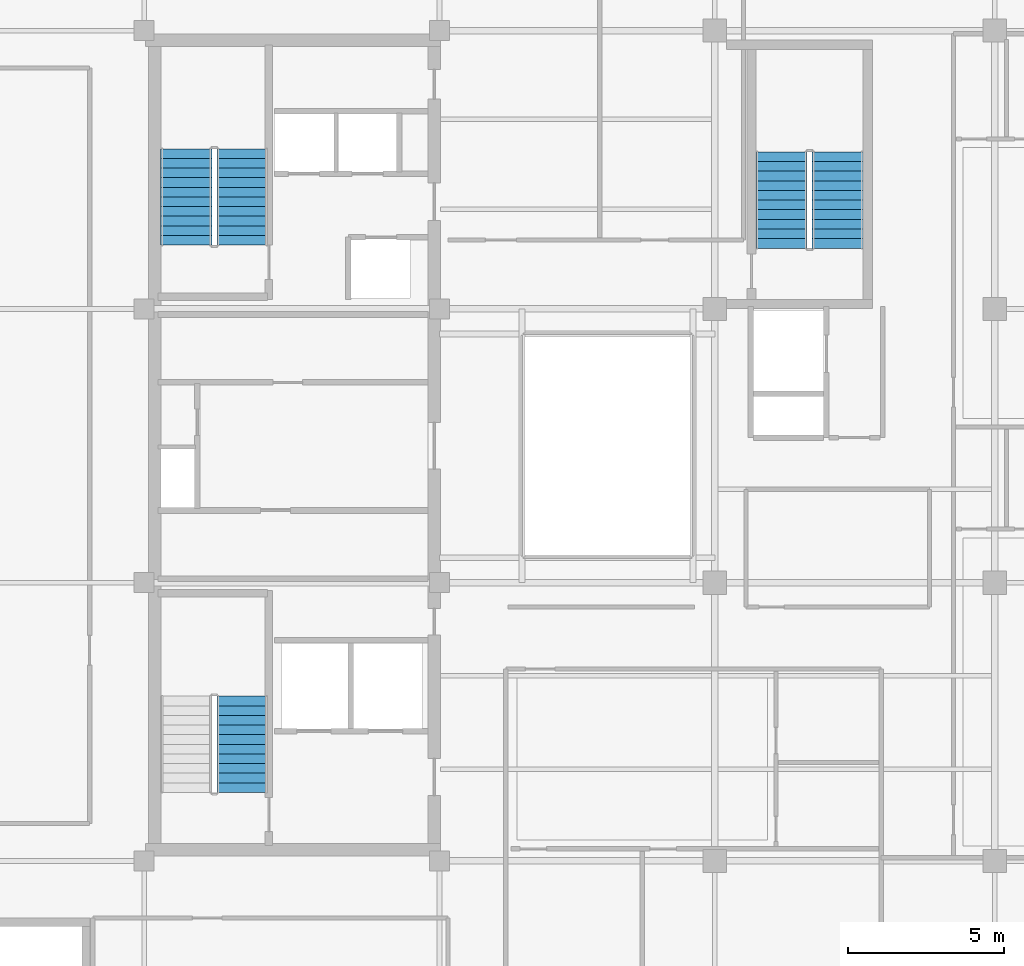
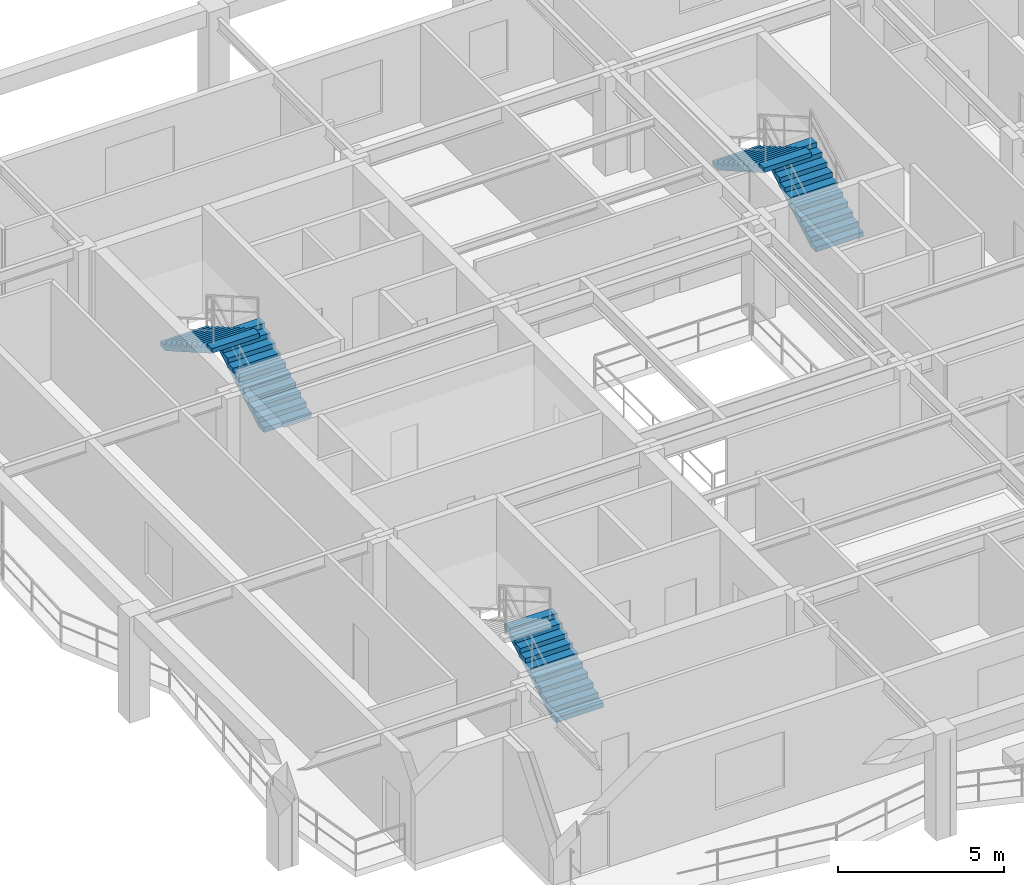
# One storey, part 6 of 10: 5 stair flights, 3 elements without a shape of their own.
"""IFC4 building model written with IfcOpenShell, lengths in metres."""

from ifc_helpers import new_model, si_unit, direction, frame, origin, place, context, subcontext, project, spatial, polyline, outline, extrude, material, type_object, element, aggregate, save


model = new_model("IFC4")

# Units and contexts
model_context = context("Model", 3, precision=1e-05, world=origin(), true_north=direction((0.0, 1.0)))
body_context = subcontext(model_context, "Body", "Model", "MODEL_VIEW")
ifc_project = project(units=[si_unit("LENGTHUNIT", "METRE"), si_unit("AREAUNIT", "SQUARE_METRE"), si_unit("VOLUMEUNIT", "CUBIC_METRE"), si_unit("PLANEANGLEUNIT", "RADIAN"), si_unit("MASSUNIT", "GRAM", prefix="KILO")], contexts=[model_context])

# Site, building, storey
site_placement = place(None, origin())
site = spatial("IfcSite", under=ifc_project, at=site_placement, CompositionType="ELEMENT")
building_placement = place(site_placement, origin())
building = spatial("IfcBuilding", under=site, at=building_placement, Name="Kundavana Baori Tower", CompositionType="ELEMENT")
storey_placement = place(building_placement, frame((0.0, 0.0, 303.800048828125)))
storey = spatial("IfcBuildingStorey", under=building, at=storey_placement, Name="L75", CompositionType="ELEMENT", Elevation=303.800048828125)

# Stair, stair flight
ifc_material_1 = material(Name="Concrete C40/50", Category="concrete")
stair_type = type_object("IfcStairType", Name="STR-DOG-1650", PredefinedType="HALF_TURN_STAIR", material=ifc_material_1)
stair_1_placement = place(storey_placement, origin())
stair_1 = element("IfcStair", 1, at=stair_1_placement, inside=storey, type_object=stair_type, Name="L75 Protected Exit Stair ST1", PredefinedType="HALF_TURN_STAIR")
ifc_material_2 = material(Name="Concrete C40/50", Category="concrete")
stair_flight_type = type_object("IfcStairFlightType", Name="SFL-RC-1650", PredefinedType="STRAIGHT", material=ifc_material_2)
stair_flight_1_placement = place(storey_placement, frame((18.614990234375, 17.449951171875, 0.0), z_axis=(0.0, 0.0, 1.0), x_axis=(0.0, 1.0, 0.0)))
stair_flight_1 = element("IfcStairFlight", 2, at=stair_flight_1_placement, type_object=stair_flight_type, Name="ST1 flight 1", NumberOfRisers=11, NumberOfTreads=10, PredefinedType="STRAIGHT", RiserHeight=0.177272727, TreadLength=0.31, context=body_context, shape_type="SweptSolid", body=[
    extrude(outline(polyline([(0.0, 0.0), (0.0, 0.17724609375), (0.31005859375, 0.17724609375), (0.31005859375, 0.3544921875), (0.6201171875, 0.3544921875), (0.6201171875, 0.53173828125), (0.929931640625, 0.53173828125), (0.929931640625, 0.708984375), (1.239990234375, 0.708984375), (1.239990234375, 0.886474609375), (1.550048828125, 0.886474609375), (1.550048828125, 1.063720703125), (1.860107421875, 1.063720703125), (1.860107421875, 1.240966796875), (2.169921875, 1.240966796875), (2.169921875, 1.418212890625), (2.47998046875, 1.418212890625), (2.47998046875, 1.595458984375), (2.7900390625, 1.595458984375), (2.7900390625, 1.772705078125), (3.10009765625, 1.772705078125), (3.10009765625, 1.949951171875), (3.10009765625, 1.60009765625), (0.302001953125, 0.0), (0.0, 0.0)])), frame((0.0, 0.824951171875, 0.0), z_axis=(0.0, -1.0, 0.0), x_axis=(1.0, 0.0, 0.0)), (0.0, 0.0, 1.0), 1.64990234375),
])
aggregate(stair_1, [stair_flight_1])

# Stair, stair flights
stair_2_placement = place(storey_placement, origin())
stair_2 = element("IfcStair", 3, at=stair_2_placement, inside=storey, type_object=stair_type, Name="L75 Protected Exit Stair ST2", PredefinedType="HALF_TURN_STAIR")
stair_flight_2_placement = place(storey_placement, frame((18.614990234375, 35.050048828125, 0.0), z_axis=(0.0, 0.0, 1.0), x_axis=(0.0, 1.0, 0.0)))
stair_flight_2 = element("IfcStairFlight", 4, at=stair_flight_2_placement, type_object=stair_flight_type, Name="ST2 flight 1", NumberOfRisers=11, NumberOfTreads=10, PredefinedType="STRAIGHT", RiserHeight=0.177272727, TreadLength=0.31, context=body_context, shape_type="SweptSolid", body=[
    extrude(outline(polyline([(0.0, 0.0), (0.0, 0.17724609375), (0.31005859375, 0.17724609375), (0.31005859375, 0.3544921875), (0.6201171875, 0.3544921875), (0.6201171875, 0.53173828125), (0.929931640625, 0.53173828125), (0.929931640625, 0.708984375), (1.239990234375, 0.708984375), (1.239990234375, 0.886474609375), (1.550048828125, 0.886474609375), (1.550048828125, 1.063720703125), (1.860107421875, 1.063720703125), (1.860107421875, 1.240966796875), (2.169921875, 1.240966796875), (2.169921875, 1.418212890625), (2.47998046875, 1.418212890625), (2.47998046875, 1.595458984375), (2.7900390625, 1.595458984375), (2.7900390625, 1.772705078125), (3.10009765625, 1.772705078125), (3.10009765625, 1.949951171875), (3.10009765625, 1.60009765625), (0.302001953125, 0.0), (0.0, 0.0)])), frame((0.0, 0.824951171875, 0.0), z_axis=(0.0, -1.0, 0.0), x_axis=(1.0, 0.0, 0.0)), (0.0, 0.0, 1.0), 1.64990234375),
])
stair_flight_3_placement = place(storey_placement, frame((16.804931640625, 38.14990234375, 1.949951171875), z_axis=(0.0, 0.0, 1.0), x_axis=(0.0, -1.0, 0.0)))
stair_flight_3 = element("IfcStairFlight", 5, at=stair_flight_3_placement, type_object=stair_flight_type, Name="ST2 flight 2", NumberOfRisers=11, NumberOfTreads=10, PredefinedType="STRAIGHT", RiserHeight=0.177272727, TreadLength=0.31, context=body_context, shape_type="SweptSolid", body=[
    extrude(outline(polyline([(0.0, 0.0), (0.0, 0.17724609375), (0.31005859375, 0.17724609375), (0.31005859375, 0.3544921875), (0.6201171875, 0.3544921875), (0.6201171875, 0.53173828125), (0.929931640625, 0.53173828125), (0.929931640625, 0.708984375), (1.239990234375, 0.708984375), (1.239990234375, 0.886474609375), (1.550048828125, 0.886474609375), (1.550048828125, 1.063720703125), (1.860107421875, 1.063720703125), (1.860107421875, 1.240966796875), (2.169921875, 1.240966796875), (2.169921875, 1.418212890625), (2.47998046875, 1.418212890625), (2.47998046875, 1.595458984375), (2.7900390625, 1.595458984375), (2.7900390625, 1.772705078125), (3.10009765625, 1.772705078125), (3.10009765625, 1.949951171875), (3.10009765625, 1.60009765625), (0.302001953125, 0.0), (0.0, 0.0)])), frame((0.0, 0.824951171875, 0.0), z_axis=(0.0, -1.0, 0.0), x_axis=(1.0, 0.0, 0.0)), (0.0, 0.0, 1.0), 1.64990234375),
])
aggregate(stair_2, [stair_flight_2, stair_flight_3])

stair_3_placement = place(storey_placement, origin())
stair_3 = element("IfcStair", 6, at=stair_3_placement, inside=storey, type_object=stair_type, Name="L75 Protected Exit Stair ST3", PredefinedType="HALF_TURN_STAIR")
stair_flight_4_placement = place(storey_placement, frame((37.7548828125, 34.949951171875, 0.0), z_axis=(0.0, 0.0, 1.0), x_axis=(0.0, 1.0, 0.0)))
stair_flight_4 = element("IfcStairFlight", 7, at=stair_flight_4_placement, type_object=stair_flight_type, Name="ST3 flight 1", NumberOfRisers=11, NumberOfTreads=10, PredefinedType="STRAIGHT", RiserHeight=0.177272727, TreadLength=0.31, context=body_context, shape_type="SweptSolid", body=[
    extrude(outline(polyline([(0.0, 0.0), (0.0, 0.17724609375), (0.31005859375, 0.17724609375), (0.31005859375, 0.3544921875), (0.6201171875, 0.3544921875), (0.6201171875, 0.53173828125), (0.929931640625, 0.53173828125), (0.929931640625, 0.708984375), (1.239990234375, 0.708984375), (1.239990234375, 0.886474609375), (1.550048828125, 0.886474609375), (1.550048828125, 1.063720703125), (1.860107421875, 1.063720703125), (1.860107421875, 1.240966796875), (2.169921875, 1.240966796875), (2.169921875, 1.418212890625), (2.47998046875, 1.418212890625), (2.47998046875, 1.595458984375), (2.7900390625, 1.595458984375), (2.7900390625, 1.772705078125), (3.10009765625, 1.772705078125), (3.10009765625, 1.949951171875), (3.10009765625, 1.60009765625), (0.302001953125, 0.0), (0.0, 0.0)])), frame((0.0, 0.824951171875, 0.0), z_axis=(0.0, -1.0, 0.0), x_axis=(1.0, 0.0, 0.0)), (0.0, 0.0, 1.0), 1.64990234375),
])
stair_flight_5_placement = place(storey_placement, frame((35.945068359375, 38.050048828125, 1.949951171875), z_axis=(0.0, 0.0, 1.0), x_axis=(0.0, -1.0, 0.0)))
stair_flight_5 = element("IfcStairFlight", 8, at=stair_flight_5_placement, type_object=stair_flight_type, Name="ST3 flight 2", NumberOfRisers=11, NumberOfTreads=10, PredefinedType="STRAIGHT", RiserHeight=0.177272727, TreadLength=0.31, context=body_context, shape_type="SweptSolid", body=[
    extrude(outline(polyline([(0.0, 0.0), (0.0, 0.17724609375), (0.31005859375, 0.17724609375), (0.31005859375, 0.3544921875), (0.6201171875, 0.3544921875), (0.6201171875, 0.53173828125), (0.929931640625, 0.53173828125), (0.929931640625, 0.708984375), (1.239990234375, 0.708984375), (1.239990234375, 0.886474609375), (1.550048828125, 0.886474609375), (1.550048828125, 1.063720703125), (1.860107421875, 1.063720703125), (1.860107421875, 1.240966796875), (2.169921875, 1.240966796875), (2.169921875, 1.418212890625), (2.47998046875, 1.418212890625), (2.47998046875, 1.595458984375), (2.7900390625, 1.595458984375), (2.7900390625, 1.772705078125), (3.10009765625, 1.772705078125), (3.10009765625, 1.949951171875), (3.10009765625, 1.60009765625), (0.302001953125, 0.0), (0.0, 0.0)])), frame((0.0, 0.824951171875, 0.0), z_axis=(0.0, -1.0, 0.0), x_axis=(1.0, 0.0, 0.0)), (0.0, 0.0, 1.0), 1.64990234375),
])
aggregate(stair_3, [stair_flight_4, stair_flight_5])

save(model, "model.ifc")
